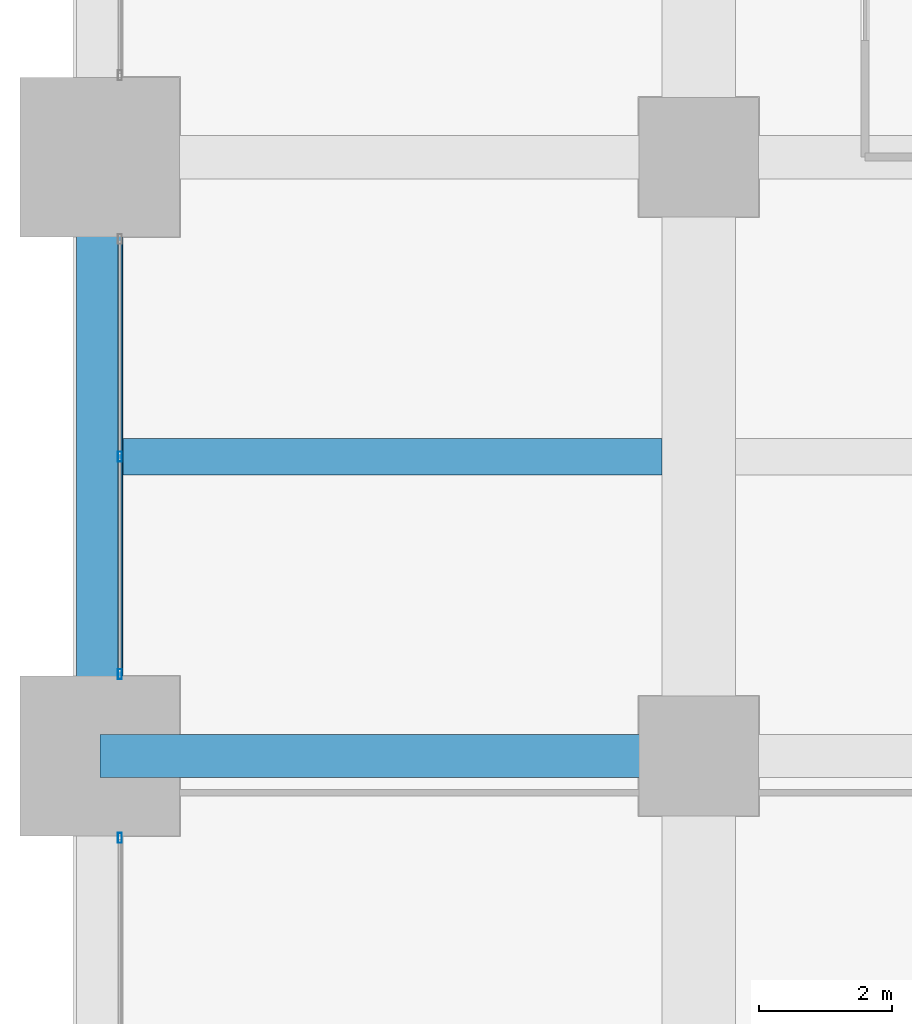
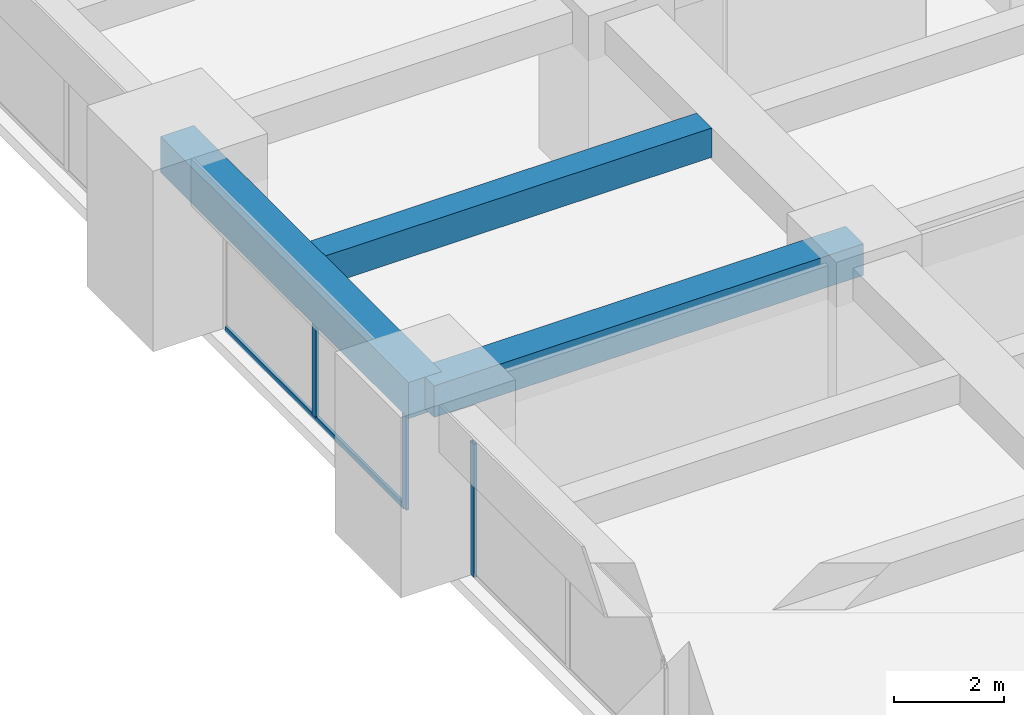
# One storey, part 9 of 39: 4 members, 3 beams, 2 elements without a shape of their own.
"""IFC4 building model written with IfcOpenShell, lengths in metres."""

from ifc_helpers import new_model, si_unit, direction, frame, origin, origin_2d, place, context, subcontext, project, spatial, rectangle, hollow_rectangle, extrude, material, material_profile, profile_set, type_object, element, aggregate, save


model = new_model("IFC4")

# Units and contexts
model_context = context("Model", 3, precision=1e-05, world=origin(), true_north=direction((0.0, 1.0)))
body_context = subcontext(model_context, "Body", "Model", "MODEL_VIEW")
ifc_project = project(units=[si_unit("LENGTHUNIT", "METRE"), si_unit("AREAUNIT", "SQUARE_METRE"), si_unit("VOLUMEUNIT", "CUBIC_METRE"), si_unit("PLANEANGLEUNIT", "RADIAN"), si_unit("MASSUNIT", "GRAM", prefix="KILO")], contexts=[model_context])

# Site, building, storey
site_placement = place(None, origin())
site = spatial("IfcSite", under=ifc_project, at=site_placement, CompositionType="ELEMENT")
building_placement = place(site_placement, origin())
building = spatial("IfcBuilding", under=site, at=building_placement, Name="Zorevar Civic Tower", CompositionType="ELEMENT")
storey_placement = place(building_placement, frame((0.0, 0.0, 125.0)))
storey = spatial("IfcBuildingStorey", under=building, at=storey_placement, Name="L30", CompositionType="ELEMENT", Elevation=125.0)

# Beams
ifc_material_1 = material(Name="Concrete C50/60", Category="concrete")
ifc_material_profile_1 = material_profile(ifc_material_1, rectangle(XDim=0.550048828125, YDim=0.64990234375, at=origin_2d()), Name="RC 550x650")
ifc_profile_set_1 = profile_set([ifc_material_profile_1], Name="Concrete C50/60")
beam_type_1 = type_object("IfcBeamType", Name="Beam RC 550x650", PredefinedType="BEAM", material=ifc_profile_set_1)
beam_1_placement = place(storey_placement, frame((0.35009765625, 22.5, 3.425048828125), z_axis=(1.0, 0.0, 0.0), x_axis=(0.0, 1.0, 0.0)))
element("IfcBeam", 1, at=beam_1_placement, inside=storey, type_object=beam_type_1, Name="Secondary beam L31", PredefinedType="BEAM", context=body_context, shape_type="SweptSolid", body=[
    extrude(rectangle(XDim=0.550048828125, YDim=0.64990234375, at=origin_2d()), origin(), (0.0, 0.0, 1.0), 8.099853515625),
])
ifc_material_2 = material(Name="Concrete C50/60", Category="concrete")
ifc_material_profile_2 = material_profile(ifc_material_2, rectangle(XDim=0.64990234375, YDim=0.699951171875, at=origin_2d()), Name="RC 650x700")
ifc_profile_set_2 = profile_set([ifc_material_profile_2], Name="Concrete C50/60")
beam_type_2 = type_object("IfcBeamType", Name="Beam RC 650x700", PredefinedType="BEAM", material=ifc_profile_set_2)
beam_2_placement = place(storey_placement, frame((0.0, 18.0, 3.39990234375), z_axis=(1.0, 0.0, 0.0), x_axis=(0.0, 1.0, 0.0)))
element("IfcBeam", 2, at=beam_2_placement, inside=storey, type_object=beam_type_2, Name="Girder L31", PredefinedType="BEAM", context=body_context, shape_type="SweptSolid", body=[
    extrude(rectangle(XDim=0.64990234375, YDim=0.699951171875, at=origin_2d()), origin(), (0.0, 0.0, 1.0), 9.0),
])

# Curtain wall, member
ifc_material_3 = material(Name="Dark grey solar-control glass in black aluminium frame", Category="aluminium")
curtain_wall_type = type_object("IfcCurtainWallType", Name="Curtain wall CW3 mid zone", PredefinedType="NOTDEFINED", material=ifc_material_3)
curtain_wall_1_placement = place(storey_placement, origin())
curtain_wall_1 = element("IfcCurtainWall", 3, at=curtain_wall_1_placement, inside=storey, type_object=curtain_wall_type, Name="CW3 L30", PredefinedType="NOTDEFINED")
ifc_material_4 = material(Name="Aluminium, black anodised", Category="aluminium")
ifc_material_profile_3 = material_profile(ifc_material_4, hollow_rectangle(XDim=0.06005859375, YDim=0.14990234375, WallThickness=0.00390625, at=origin_2d()), Name="AL 150x60x4")
ifc_profile_set_3 = profile_set([ifc_material_profile_3], Name="Aluminium, black anodised")
member_type_1 = type_object("IfcMemberType", Name="CW3 mullion AL 150x60x4", PredefinedType="MULLION", material=ifc_profile_set_3)
member_1_placement = place(storey_placement, frame((0.300048828125, 16.77001953125, 0.0), z_axis=(0.0, 0.0, 1.0), x_axis=(-1.0, 0.0, 0.0)))
member_1 = element("IfcMember", 4, at=member_1_placement, type_object=member_type_1, Name="CW3 mullion 3", PredefinedType="MULLION", context=body_context, shape_type="SweptSolid", body=[
    extrude(hollow_rectangle(XDim=0.06005859375, YDim=0.14990234375, WallThickness=0.00390625, at=origin_2d()), origin(), (0.0, 0.0, 1.0), 2.949951171875),
])
aggregate(curtain_wall_1, [member_1])

# Curtain wall, members
curtain_wall_2_placement = place(storey_placement, origin())
curtain_wall_2 = element("IfcCurtainWall", 5, at=curtain_wall_2_placement, inside=storey, type_object=curtain_wall_type, Name="CW3 L30", PredefinedType="NOTDEFINED")
member_2_placement = place(storey_placement, frame((0.300048828125, 19.22998046875, 0.0), z_axis=(0.0, 0.0, 1.0), x_axis=(-1.0, 0.0, 0.0)))
member_2 = element("IfcMember", 6, at=member_2_placement, type_object=member_type_1, Name="CW3 mullion 1", PredefinedType="MULLION", context=body_context, shape_type="SweptSolid", body=[
    extrude(hollow_rectangle(XDim=0.06005859375, YDim=0.14990234375, WallThickness=0.00390625, at=origin_2d()), origin(), (0.0, 0.0, 1.0), 2.949951171875),
])
member_3_placement = place(storey_placement, frame((0.300048828125, 22.5, 0.06005859375), z_axis=(0.0, 0.0, 1.0), x_axis=(-1.0, 0.0, 0.0)))
member_3 = element("IfcMember", 7, at=member_3_placement, type_object=member_type_1, Name="CW3 mullion 2", PredefinedType="MULLION", context=body_context, shape_type="SweptSolid", body=[
    extrude(hollow_rectangle(XDim=0.06005859375, YDim=0.14990234375, WallThickness=0.00390625, at=origin_2d()), origin(), (0.0, 0.0, 1.0), 2.889892578125),
])
ifc_material_5 = material(Name="Aluminium, black anodised", Category="aluminium")
ifc_material_profile_4 = material_profile(ifc_material_5, hollow_rectangle(XDim=0.06005859375, YDim=0.1201171875, WallThickness=0.0029296875, at=origin_2d()), Name="AL 120x60x3")
ifc_profile_set_4 = profile_set([ifc_material_profile_4], Name="Aluminium, black anodised")
member_type_2 = type_object("IfcMemberType", Name="CW3 transom AL 120x60x3", PredefinedType="USERDEFINED", material=ifc_profile_set_4)
member_4_placement = place(storey_placement, frame((0.300048828125, 19.260009765625, 0.030029296875), z_axis=(0.0, 1.0, 0.0), x_axis=(-1.0, 0.0, 0.0)))
member_4 = element("IfcMember", 8, at=member_4_placement, type_object=member_type_2, Name="CW3 sill transom", ObjectType="TRANSOM", PredefinedType="USERDEFINED", context=body_context, shape_type="SweptSolid", body=[
    extrude(hollow_rectangle(XDim=0.06005859375, YDim=0.1201171875, WallThickness=0.0029296875, at=origin_2d()), origin(), (0.0, 0.0, 1.0), 6.47998046875),
])
aggregate(curtain_wall_2, [member_2, member_3, member_4])

# Beam
ifc_material_6 = material(Name="Concrete C50/60", Category="concrete")
ifc_material_profile_5 = material_profile(ifc_material_6, rectangle(XDim=0.699951171875, YDim=0.800048828125, at=origin_2d()), Name="RC 700x800")
ifc_profile_set_5 = profile_set([ifc_material_profile_5], Name="Concrete C50/60")
beam_type_3 = type_object("IfcBeamType", Name="Edge beam RC 700x800", PredefinedType="SPANDREL", material=ifc_profile_set_5)
beam_3_placement = place(storey_placement, frame((0.0, 18.0, 3.35009765625), z_axis=(0.0, 1.0, 0.0), x_axis=(-1.0, 0.0, 0.0)))
element("IfcBeam", 9, at=beam_3_placement, inside=storey, type_object=beam_type_3, Name="Edge beam L31", PredefinedType="SPANDREL", context=body_context, shape_type="SweptSolid", body=[
    extrude(rectangle(XDim=0.699951171875, YDim=0.800048828125, at=origin_2d()), origin(), (0.0, 0.0, 1.0), 9.0),
])

save(model, "model.ifc")
